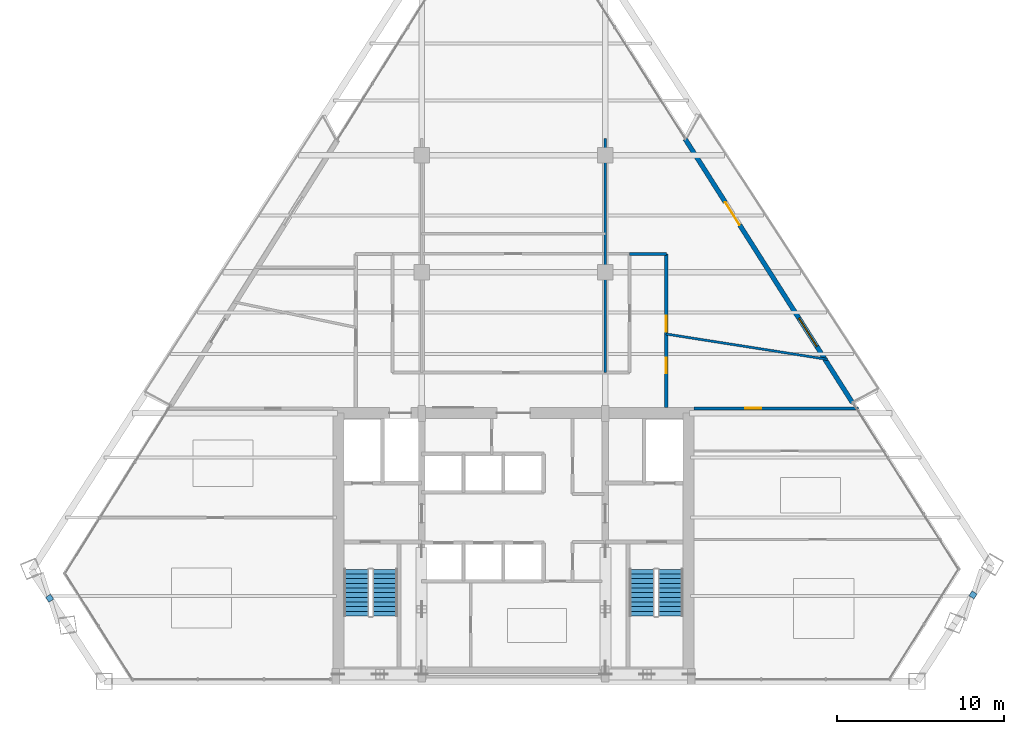
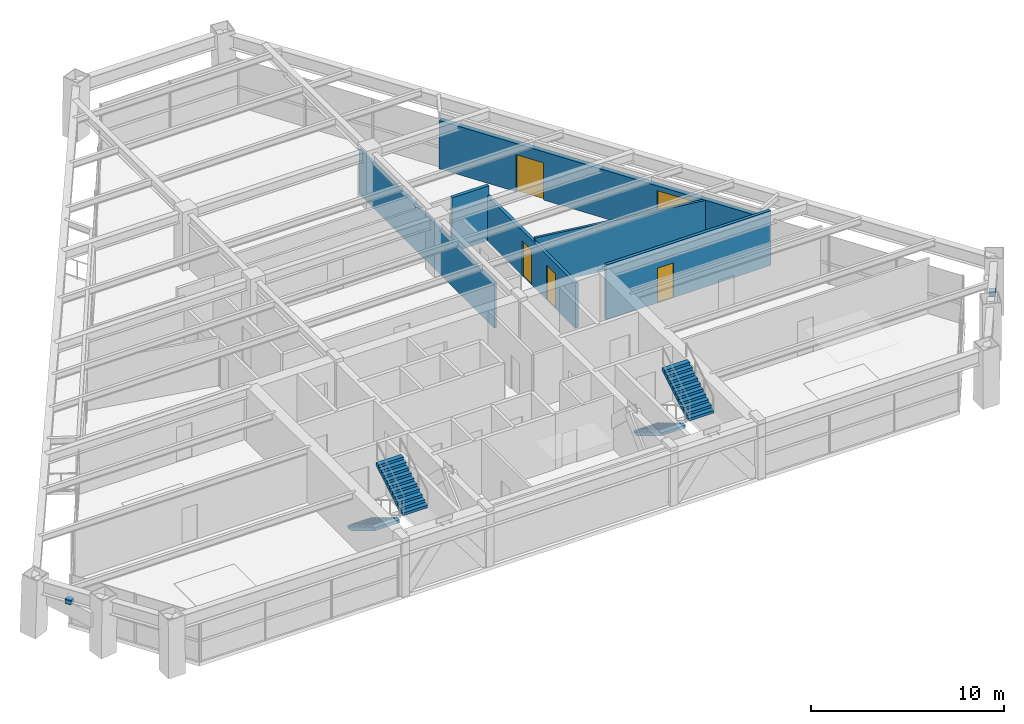
# One storey, part 13 of 15: 6 walls, 4 doors, 4 stair flights, 2 discrete accessories, 1 window, 5 openings, 2 elements without a shape of their own.
"""IFC4 building model written with IfcOpenShell, lengths in metres."""

from ifc_helpers import new_model, si_unit, direction, frame, frame_2d, origin, origin_2d, place, context, subcontext, project, spatial, polyline, rectangle, outline, extrude, source, transform, mapped, material, layer, layer_set, type_object, type_shapes, element, fill, aggregate, save


model = new_model("IFC4")

# Units and contexts
model_context = context("Model", 3, precision=1e-05, world=origin(), true_north=direction((0.0, 1.0)))
body_context = subcontext(model_context, "Body", "Model", "MODEL_VIEW")
ifc_project = project(units=[si_unit("LENGTHUNIT", "METRE"), si_unit("AREAUNIT", "SQUARE_METRE"), si_unit("VOLUMEUNIT", "CUBIC_METRE"), si_unit("PLANEANGLEUNIT", "RADIAN"), si_unit("MASSUNIT", "GRAM", prefix="KILO")], contexts=[model_context])

# Site, building, storey
site_placement = place(None, origin())
site = spatial("IfcSite", under=ifc_project, at=site_placement, CompositionType="ELEMENT")
building_placement = place(site_placement, origin())
building = spatial("IfcBuilding", under=site, at=building_placement, Name="Varnakhor Terracotta Tower", CompositionType="ELEMENT")
storey_placement = place(building_placement, frame((0.0, 0.0, 174.699951171875)))
storey = spatial("IfcBuildingStorey", under=building, at=storey_placement, Name="L44", CompositionType="ELEMENT", Elevation=174.699951171875)

# Wall, openings, doors
ifc_material_1 = material(Name="Fire-Rated Gypsum Stud Partition", Category="gypsum")
ifc_layer_1 = layer(ifc_material_1, 0.18505859375, Name="Fire-Rated Gypsum Stud Partition")
ifc_layer_set_1 = layer_set([ifc_layer_1], Name="Fire-Rated Gypsum Stud Partition")
wall_type_1 = type_object("IfcWallType", Name="WAL-CORR-185", PredefinedType="PARTITIONING", material=ifc_layer_set_1)
wall_1_placement = place(storey_placement, frame((9.14990234375, 16.39990234375, 0.0), z_axis=(0.0, 0.0, 1.0), x_axis=(0.0, 1.0, 0.0)))
wall_1 = element("IfcWall", 1, at=wall_1_placement, inside=storey, type_object=wall_type_1, Name="L44 East Gallery Outer Wall", PredefinedType="PARTITIONING", context=body_context, shape_type="SweptSolid", body=[
    extrude(rectangle(XDim=9.2001953125, YDim=0.18505859375, at=frame_2d((4.60009765625, 0.0))), origin(), (0.0, 0.0, 1.0), 2.845947265625),
])
opening_1_placement = place(wall_1_placement, frame((4.551025390625, 0.0, 0.0)))
opening_1 = element("IfcOpeningElement", 2, at=opening_1_placement, cuts=wall_1, Name="Opening DR-94", PredefinedType="OPENING", context=body_context, shape_type="SweptSolid", body=[
    extrude(rectangle(XDim=0.949951171875, YDim=2.199951171875, at=frame_2d((0.47509765625, 1.10009765625))), frame((0.0, 0.1025390625, 0.0), z_axis=(0.0, -1.0, 0.0), x_axis=(1.0, 0.0, 0.0)), (0.0, 0.0, 1.0), 0.205078125),
])
opening_2_placement = place(wall_1_placement, frame((2.04150390625, 0.0, 0.0)))
opening_2 = element("IfcOpeningElement", 3, at=opening_2_placement, cuts=wall_1, Name="Opening DR-94", PredefinedType="OPENING", context=body_context, shape_type="SweptSolid", body=[
    extrude(rectangle(XDim=0.949951171875, YDim=2.199951171875, at=frame_2d((0.47509765625, 1.10009765625))), frame((0.0, 0.1025390625, 0.0), z_axis=(0.0, -1.0, 0.0), x_axis=(1.0, 0.0, 0.0)), (0.0, 0.0, 1.0), 0.205078125),
])
ifc_material_2 = material(Name="Acoustic Glazed-Vision Timber Office Door", Category="wood")
door_type_1 = type_object("IfcDoorType", Name="DR-OFF-950X2200", OperationType="NOTDEFINED", PredefinedType="DOOR", material=ifc_material_2)
shared_shape_1 = source(origin(), body_context, "Body", "SweptSolid", [
    extrude(rectangle(XDim=0.949951171875, YDim=2.199951171875, at=frame_2d((0.47509765625, 1.10009765625))), frame((0.0, 0.02490234375, 0.0), z_axis=(0.0, -1.0, 0.0), x_axis=(1.0, 0.0, 0.0)), (0.0, 0.0, 1.0), 0.050048828125),
])
type_shapes(door_type_1, [shared_shape_1])
door_1_placement = place(opening_1_placement, origin())
door_1 = element("IfcDoor", 4, at=door_1_placement, inside=storey, type_object=door_type_1, Name="L44 East Wing Door", OperationType="SINGLE_SWING_RIGHT", OverallHeight=2.199951171875, OverallWidth=0.949951171875, PredefinedType="DOOR", context=body_context, shape_type="MappedRepresentation", body=[
    mapped(shared_shape_1, transform((0.0, 0.0, 0.0), scale=1.0)),
])
fill(opening_1, door_1)
door_2_placement = place(opening_2_placement, origin())
door_2 = element("IfcDoor", 5, at=door_2_placement, inside=storey, type_object=door_type_1, Name="L44 Client Lounge B6 Door", OperationType="SINGLE_SWING_RIGHT", OverallHeight=2.199951171875, OverallWidth=0.949951171875, PredefinedType="DOOR", context=body_context, shape_type="MappedRepresentation", body=[
    mapped(shared_shape_1, transform((0.0, 0.0, 0.0), scale=1.0)),
])
fill(opening_2, door_2)

# Wall
wall_2_placement = place(storey_placement, frame((6.949951171875, 25.60009765625, 0.0), z_axis=(0.0, 0.0, 1.0), x_axis=(1.0, 0.0, 0.0)))
element("IfcWall", 6, at=wall_2_placement, inside=storey, type_object=wall_type_1, Name="L44 East Gallery North End", PredefinedType="PARTITIONING", context=body_context, shape_type="SweptSolid", body=[
    extrude(rectangle(XDim=2.199951171875, YDim=0.18505859375, at=frame_2d((1.10009765625, 0.0))), origin(), (0.0, 0.0, 1.0), 3.462158203125),
])

# Wall, opening, door
wall_3_placement = place(storey_placement, frame((10.820068359375, 16.35009765625, 0.0), z_axis=(0.0, 0.0, 1.0), x_axis=(1.0, 0.0, 0.0)))
wall_3 = element("IfcWall", 7, at=wall_3_placement, inside=storey, type_object=wall_type_1, Name="L44 South East Entry Wall", PredefinedType="PARTITIONING", context=body_context, shape_type="SweptSolid", body=[
    extrude(rectangle(XDim=9.85107421875, YDim=0.18505859375, at=frame_2d((4.925537109375, 0.0))), origin(), (0.0, 0.0, 1.0), 3.462158203125),
])
opening_3_placement = place(wall_3_placement, frame((3.074951171875, 0.0, 0.0)))
opening_3 = element("IfcOpeningElement", 8, at=opening_3_placement, cuts=wall_3, Name="Opening DR-94", PredefinedType="OPENING", context=body_context, shape_type="SweptSolid", body=[
    extrude(rectangle(XDim=0.949951171875, YDim=2.199951171875, at=frame_2d((0.47509765625, 1.10009765625))), frame((0.0, 0.1025390625, 0.0), z_axis=(0.0, -1.0, 0.0), x_axis=(1.0, 0.0, 0.0)), (0.0, 0.0, 1.0), 0.205078125),
])
door_3_placement = place(opening_3_placement, origin())
door_3 = element("IfcDoor", 9, at=door_3_placement, inside=storey, type_object=door_type_1, Name="L44 SE Suite Door", OperationType="SINGLE_SWING_RIGHT", OverallHeight=2.199951171875, OverallWidth=0.949951171875, PredefinedType="DOOR", context=body_context, shape_type="MappedRepresentation", body=[
    mapped(shared_shape_1, transform((0.0, 0.0, 0.0), scale=1.0)),
])
fill(opening_3, door_3)

# Wall, openings, door, window
ifc_material_3 = material(Name="Extruded Architectural Terracotta Assembly", Category="masonry")
ifc_layer_2 = layer(ifc_material_3, 0.280029296875, Name="Extruded Architectural Terracotta Assembly")
ifc_layer_set_2 = layer_set([ifc_layer_2], Name="Extruded Architectural Terracotta Assembly")
wall_type_2 = type_object("IfcWallType", Name="WAL-EXT-TERRACOTTA-280", PredefinedType="SOLIDWALL", material=ifc_layer_set_2)
wall_4_placement = place(storey_placement, frame((10.2802734375, 32.48388671875, 0.0), z_axis=(0.0, 0.0, 1.0), x_axis=(0.53575660665, -0.844372464278, 0.0)))
wall_4 = element("IfcWall", 10, at=wall_4_placement, inside=storey, type_object=wall_type_2, Name="L44 E Loggia Insulated Terracotta Wall", PredefinedType="SOLIDWALL", context=body_context, shape_type="SweptSolid", body=[
    extrude(rectangle(XDim=18.701171875, YDim=0.280029296875, at=frame_2d((9.3505859375, 0.0))), origin(), (0.0, 0.0, 1.0), 3.050048828125),
])
opening_4_placement = place(wall_4_placement, frame((4.48828125, 0.0, 0.0)))
opening_4 = element("IfcOpeningElement", 11, at=opening_4_placement, cuts=wall_4, Name="Opening DR-62", PredefinedType="OPENING", context=body_context, shape_type="SweptSolid", body=[
    extrude(rectangle(XDim=1.60009765625, YDim=2.35009765625, at=frame_2d((0.800048828125, 1.175048828125))), frame((0.0, 0.14990234375, 0.0), z_axis=(0.0, -1.0, 0.0), x_axis=(1.0, 0.0, 0.0)), (0.0, 0.0, 1.0), 0.300048828125),
])
opening_5_placement = place(wall_4_placement, frame((12.716796875, 0.0, 0.89990234375)))
opening_5 = element("IfcOpeningElement", 12, at=opening_5_placement, cuts=wall_4, Name="Opening WN-26", PredefinedType="OPENING", context=body_context, shape_type="SweptSolid", body=[
    extrude(rectangle(XDim=2.0, YDim=1.85009765625, at=frame_2d((1.0, 0.925048828125))), frame((0.0, 0.14990234375, 0.0), z_axis=(0.0, -1.0, 0.0), x_axis=(1.0, 0.0, 0.0)), (0.0, 0.0, 1.0), 0.300048828125),
])
ifc_material_4 = material(Name="Thermally Broken Sliding Glass Loggia Door", Category="glass")
door_type_2 = type_object("IfcDoorType", Name="DR-EXT-LOGGIA-1600X2350", OperationType="NOTDEFINED", PredefinedType="DOOR", material=ifc_material_4)
shared_shape_2 = source(origin(), body_context, "Body", "SweptSolid", [
    extrude(rectangle(XDim=1.60009765625, YDim=2.35009765625, at=frame_2d((0.800048828125, 1.175048828125))), frame((0.0, 0.02490234375, 0.0), z_axis=(0.0, -1.0, 0.0), x_axis=(1.0, 0.0, 0.0)), (0.0, 0.0, 1.0), 0.050048828125),
])
type_shapes(door_type_2, [shared_shape_2])
door_4_placement = place(opening_4_placement, origin())
door_4 = element("IfcDoor", 13, at=door_4_placement, inside=storey, type_object=door_type_2, Name="L44 E Recessed Loggia Sliding Door", OperationType="SLIDING_TO_RIGHT", OverallHeight=2.35009765625, OverallWidth=1.60009765625, PredefinedType="DOOR", context=body_context, shape_type="MappedRepresentation", body=[
    mapped(shared_shape_2, transform((0.0, 0.0, 0.0), scale=1.0)),
])
fill(opening_4, door_4)
ifc_material_5 = material(Name="Solar-Control Low-E Insulated Glass Unit", Category="glass")
window_type = type_object("IfcWindowType", Name="WIN-OFF-2200X2100", PartitioningType="SINGLE_PANEL", PredefinedType="WINDOW", material=ifc_material_5)
shared_shape_3 = source(origin(), body_context, "Body", "SweptSolid", [
    extrude(rectangle(XDim=2.0, YDim=1.85009765625, at=frame_2d((1.0, 0.925048828125))), frame((0.0, 0.030029296875, 0.0), z_axis=(0.0, -1.0, 0.0), x_axis=(1.0, 0.0, 0.0)), (0.0, 0.0, 1.0), 0.06005859375),
])
type_shapes(window_type, [shared_shape_3])
window_placement = place(opening_5_placement, origin())
window = element("IfcWindow", 14, at=window_placement, inside=storey, type_object=window_type, Name="L44 E Facet Punched Window", OverallHeight=1.85009765625, OverallWidth=2.0, PartitioningType="SINGLE_PANEL", PredefinedType="WINDOW", context=body_context, shape_type="MappedRepresentation", body=[
    mapped(shared_shape_3, transform((0.0, 0.0, 0.0), scale=1.0)),
])
fill(opening_5, window)

# Walls
ifc_material_6 = material(Name="Acoustic Metal-Stud Partition", Category="gypsum")
ifc_layer_3 = layer(ifc_material_6, 0.139892578125, Name="Acoustic Metal-Stud Partition")
ifc_layer_set_3 = layer_set([ifc_layer_3], Name="Acoustic Metal-Stud Partition")
wall_type_3 = type_object("IfcWallType", Name="WAL-PART-140", PredefinedType="PARTITIONING", material=ifc_layer_set_3)
wall_5_placement = place(storey_placement, frame((5.5, 18.5, 0.0), z_axis=(0.0, 0.0, 1.0), x_axis=(0.0, 1.0, 0.0)))
element("IfcWall", 15, at=wall_5_placement, inside=storey, type_object=wall_type_3, Name="L44 Center East Column Wall", PredefinedType="PARTITIONING", context=body_context, shape_type="SweptSolid", body=[
    extrude(rectangle(XDim=14.0, YDim=0.139892578125, at=frame_2d((7.0, 0.0))), origin(), (0.0, 0.0, 1.0), 2.845947265625),
])
wall_6_placement = place(storey_placement, frame((9.14990234375, 20.800048828125, 0.0), z_axis=(0.0, 0.0, 1.0), x_axis=(0.987888554184, -0.155165087929, 0.0)))
element("IfcWall", 16, at=wall_6_placement, inside=storey, type_object=wall_type_3, Name="L44 East Wing Cut 3", PredefinedType="PARTITIONING", context=body_context, shape_type="SweptSolid", body=[
    extrude(rectangle(XDim=9.77880859375, YDim=0.139892578125, at=frame_2d((4.889404296875, 0.0))), origin(), (0.0, 0.0, 1.0), 3.049072265625),
])

# Stair, stair flights
ifc_material_7 = material(Name="Concrete C40/50", Category="concrete")
stair_type = type_object("IfcStairType", Name="STR-CORE-OFFICE-1500", PredefinedType="HALF_TURN_STAIR", material=ifc_material_7)
stair_1_placement = place(storey_placement, origin())
stair_1 = element("IfcStair", 17, at=stair_1_placement, inside=storey, type_object=stair_type, Name="L44 Core Exit Stair ST-1", PredefinedType="HALF_TURN_STAIR")
stair_flight_type = type_object("IfcStairFlightType", Name="FLT-CORE-1500", PredefinedType="STRAIGHT", material=ifc_material_7)
stair_flight_1_placement = place(storey_placement, frame((-9.39990234375, 6.7099609375, 0.0), z_axis=(0.0, 0.0, 1.0), x_axis=(0.0, -1.0, 0.0)))
stair_flight_1 = element("IfcStairFlight", 18, at=stair_flight_1_placement, type_object=stair_flight_type, Name="ST-1 flight 1", NumberOfRisers=11, NumberOfTreads=10, PredefinedType="STRAIGHT", RiserHeight=0.168181818, TreadLength=0.28, context=body_context, shape_type="SweptSolid", body=[
    extrude(outline(polyline([(0.0, 0.0), (0.0, 0.168212890625), (0.280029296875, 0.168212890625), (0.280029296875, 0.33642578125), (0.56005859375, 0.33642578125), (0.56005859375, 0.504638671875), (0.840087890625, 0.504638671875), (0.840087890625, 0.672607421875), (1.1201171875, 0.672607421875), (1.1201171875, 0.8408203125), (1.39990234375, 0.8408203125), (1.39990234375, 1.009033203125), (1.679931640625, 1.009033203125), (1.679931640625, 1.17724609375), (1.9599609375, 1.17724609375), (1.9599609375, 1.345458984375), (2.239990234375, 1.345458984375), (2.239990234375, 1.513671875), (2.52001953125, 1.513671875), (2.52001953125, 1.681884765625), (2.800048828125, 1.681884765625), (2.800048828125, 1.85009765625), (2.800048828125, 1.495361328125), (0.310546875, 0.0), (0.0, 0.0)])), frame((0.0, 0.75, 0.0), z_axis=(0.0, -1.0, 0.0), x_axis=(1.0, 0.0, 0.0)), (0.0, 0.0, 1.0), 1.5),
])
stair_flight_2_placement = place(storey_placement, frame((-7.699951171875, 3.909912109375, 1.85009765625), z_axis=(0.0, 0.0, 1.0), x_axis=(0.0, 1.0, 0.0)))
stair_flight_2 = element("IfcStairFlight", 19, at=stair_flight_2_placement, type_object=stair_flight_type, Name="ST-1 flight 2", NumberOfRisers=11, NumberOfTreads=10, PredefinedType="STRAIGHT", RiserHeight=0.168181818, TreadLength=0.28, context=body_context, shape_type="SweptSolid", body=[
    extrude(outline(polyline([(0.0, 0.0), (0.0, 0.168212890625), (0.280029296875, 0.168212890625), (0.280029296875, 0.33642578125), (0.56005859375, 0.33642578125), (0.56005859375, 0.504638671875), (0.840087890625, 0.504638671875), (0.840087890625, 0.672607421875), (1.1201171875, 0.672607421875), (1.1201171875, 0.8408203125), (1.39990234375, 0.8408203125), (1.39990234375, 1.009033203125), (1.679931640625, 1.009033203125), (1.679931640625, 1.17724609375), (1.9599609375, 1.17724609375), (1.9599609375, 1.345458984375), (2.239990234375, 1.345458984375), (2.239990234375, 1.513671875), (2.52001953125, 1.513671875), (2.52001953125, 1.681884765625), (2.800048828125, 1.681884765625), (2.800048828125, 1.85009765625), (2.800048828125, 1.495361328125), (0.310546875, 0.0), (0.0, 0.0)])), frame((0.0, 0.75, 0.0), z_axis=(0.0, -1.0, 0.0), x_axis=(1.0, 0.0, 0.0)), (0.0, 0.0, 1.0), 1.5),
])
aggregate(stair_1, [stair_flight_1, stair_flight_2])

stair_2_placement = place(storey_placement, origin())
stair_2 = element("IfcStair", 20, at=stair_2_placement, inside=storey, type_object=stair_type, Name="L44 Core Exit Stair ST-2", PredefinedType="HALF_TURN_STAIR")
stair_flight_3_placement = place(storey_placement, frame((7.699951171875, 6.7099609375, 0.0), z_axis=(0.0, 0.0, 1.0), x_axis=(0.0, -1.0, 0.0)))
stair_flight_3 = element("IfcStairFlight", 21, at=stair_flight_3_placement, type_object=stair_flight_type, Name="ST-2 flight 1", NumberOfRisers=11, NumberOfTreads=10, PredefinedType="STRAIGHT", RiserHeight=0.168181818, TreadLength=0.28, context=body_context, shape_type="SweptSolid", body=[
    extrude(outline(polyline([(0.0, 0.0), (0.0, 0.168212890625), (0.280029296875, 0.168212890625), (0.280029296875, 0.33642578125), (0.56005859375, 0.33642578125), (0.56005859375, 0.504638671875), (0.840087890625, 0.504638671875), (0.840087890625, 0.672607421875), (1.1201171875, 0.672607421875), (1.1201171875, 0.8408203125), (1.39990234375, 0.8408203125), (1.39990234375, 1.009033203125), (1.679931640625, 1.009033203125), (1.679931640625, 1.17724609375), (1.9599609375, 1.17724609375), (1.9599609375, 1.345458984375), (2.239990234375, 1.345458984375), (2.239990234375, 1.513671875), (2.52001953125, 1.513671875), (2.52001953125, 1.681884765625), (2.800048828125, 1.681884765625), (2.800048828125, 1.85009765625), (2.800048828125, 1.495361328125), (0.310546875, 0.0), (0.0, 0.0)])), frame((0.0, 0.75, 0.0), z_axis=(0.0, -1.0, 0.0), x_axis=(1.0, 0.0, 0.0)), (0.0, 0.0, 1.0), 1.5),
])
stair_flight_4_placement = place(storey_placement, frame((9.39990234375, 3.909912109375, 1.85009765625), z_axis=(0.0, 0.0, 1.0), x_axis=(0.0, 1.0, 0.0)))
stair_flight_4 = element("IfcStairFlight", 22, at=stair_flight_4_placement, type_object=stair_flight_type, Name="ST-2 flight 2", NumberOfRisers=11, NumberOfTreads=10, PredefinedType="STRAIGHT", RiserHeight=0.168181818, TreadLength=0.28, context=body_context, shape_type="SweptSolid", body=[
    extrude(outline(polyline([(0.0, 0.0), (0.0, 0.168212890625), (0.280029296875, 0.168212890625), (0.280029296875, 0.33642578125), (0.56005859375, 0.33642578125), (0.56005859375, 0.504638671875), (0.840087890625, 0.504638671875), (0.840087890625, 0.672607421875), (1.1201171875, 0.672607421875), (1.1201171875, 0.8408203125), (1.39990234375, 0.8408203125), (1.39990234375, 1.009033203125), (1.679931640625, 1.009033203125), (1.679931640625, 1.17724609375), (1.9599609375, 1.17724609375), (1.9599609375, 1.345458984375), (2.239990234375, 1.345458984375), (2.239990234375, 1.513671875), (2.52001953125, 1.513671875), (2.52001953125, 1.681884765625), (2.800048828125, 1.681884765625), (2.800048828125, 1.85009765625), (2.800048828125, 1.495361328125), (0.310546875, 0.0), (0.0, 0.0)])), frame((0.0, 0.75, 0.0), z_axis=(0.0, -1.0, 0.0), x_axis=(1.0, 0.0, 0.0)), (0.0, 0.0, 1.0), 1.5),
])
aggregate(stair_2, [stair_flight_3, stair_flight_4])

# Discrete accessories
ifc_material_8 = material(Name="Stainless Steel Fixing Bracket", Category="steel")
discrete_accessory_type = type_object("IfcDiscreteAccessoryType", Name="BRACKET-TERRACOTTA-SCREEN", PredefinedType="BRACKET", material=ifc_material_8)
shared_shape_4 = source(origin(), body_context, "Body", "SweptSolid", [
    extrude(rectangle(XDim=0.35009765625, YDim=0.35009765625, at=origin_2d()), origin(), (0.0, 0.0, 1.0), 0.280029296875),
])
type_shapes(discrete_accessory_type, [shared_shape_4])
for number, where, z_axis, x_axis, name in (
    (23, (27.520751953125, 5.177734375, 2.48486328125), (0.0, 0.0, 1.0), (0.540416554234, 0.841397615822, 0.0), "L44 E Screen Fixing Bracket"),
    (24, (-27.77734375, 4.978271484375, 2.48486328125), (0.0, 0.0, 1.0), (0.545268296774, -0.838261584789, 0.0), "L44 W Screen Fixing Bracket"),
):
    element("IfcDiscreteAccessory", number, at=place(storey_placement, frame(where, z_axis=z_axis, x_axis=x_axis)), inside=storey, type_object=discrete_accessory_type, Name=name, PredefinedType="BRACKET", context=body_context, shape_type="MappedRepresentation", body=[
        mapped(shared_shape_4, transform((0.0, 0.0, 0.0), scale=1.0)),
    ])

save(model, "model.ifc")
